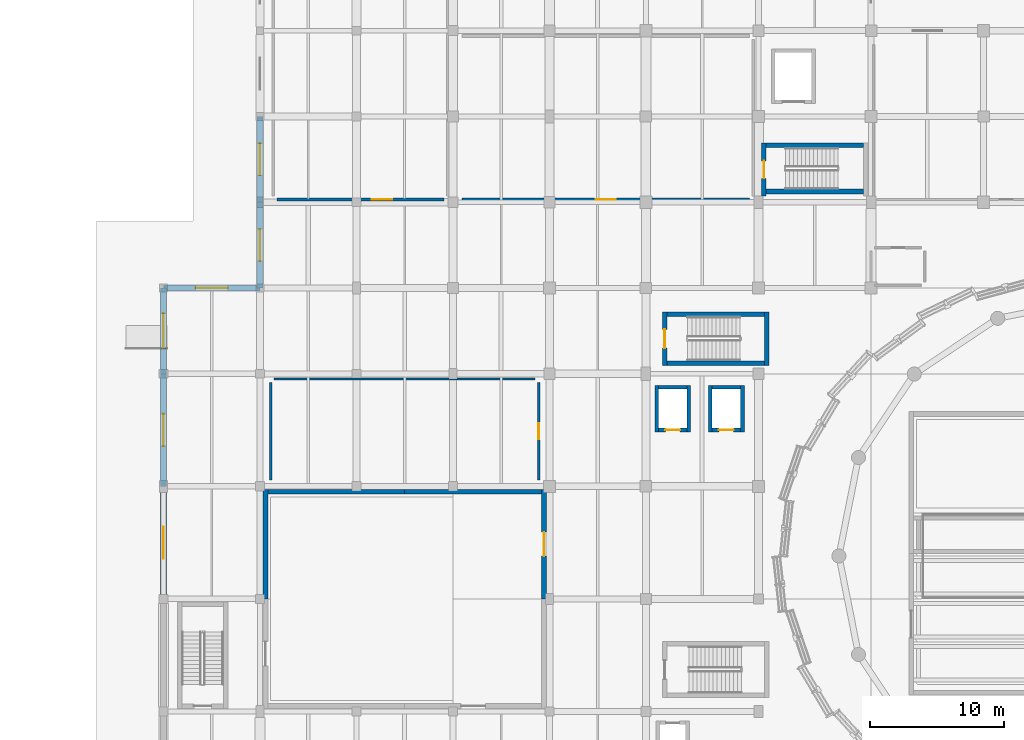
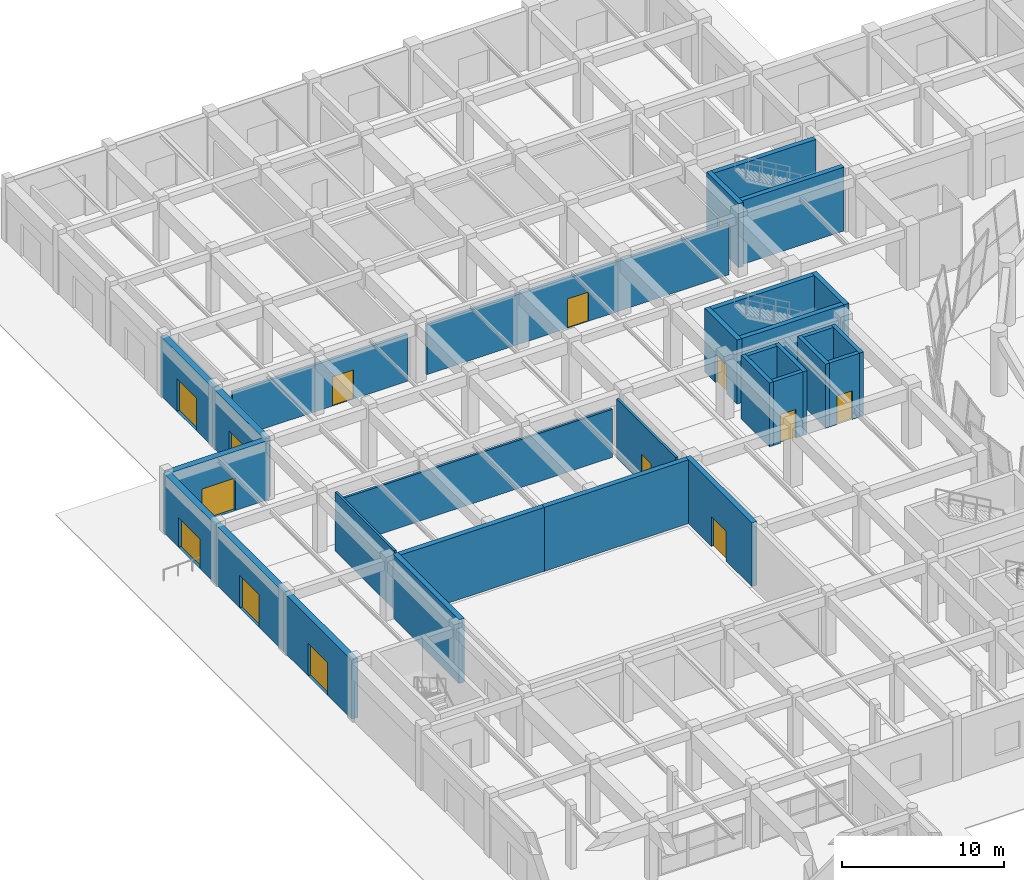
# One storey, part 48 of 72: 30 walls, 14 doors, 14 openings.
"""IFC4 building model written with IfcOpenShell, lengths in metres."""

from ifc_helpers import new_model, si_unit, direction, frame, frame_2d, origin, place, context, subcontext, project, spatial, rectangle, extrude, material, layer, layer_set, type_object, element, fill, save


model = new_model("IFC4")

# Units and contexts
model_context = context("Model", 3, precision=1e-05, world=origin(), true_north=direction((0.0, 1.0)))
body_context = subcontext(model_context, "Body", "Model", "MODEL_VIEW")
ifc_project = project(units=[si_unit("LENGTHUNIT", "METRE"), si_unit("AREAUNIT", "SQUARE_METRE"), si_unit("VOLUMEUNIT", "CUBIC_METRE"), si_unit("PLANEANGLEUNIT", "RADIAN"), si_unit("MASSUNIT", "GRAM", prefix="KILO")], contexts=[model_context])

# Site, building, storey
site_placement = place(None, origin())
site = spatial("IfcSite", under=ifc_project, at=site_placement, CompositionType="ELEMENT")
building_placement = place(site_placement, origin())
building = spatial("IfcBuilding", under=site, at=building_placement, Name="Korsvaeld Concert Hall", CompositionType="ELEMENT")
storey_placement = place(building_placement, origin())
storey = spatial("IfcBuildingStorey", under=building, at=storey_placement, Name="L00", CompositionType="ELEMENT", Elevation=0.0)

# Walls
ifc_material_1 = material(Name="Concrete C40/50", Category="concrete")
ifc_layer_1 = layer(ifc_material_1, 0.340087890625)
ifc_layer_set_1 = layer_set([ifc_layer_1], Name="Concrete C40/50")
wall_type_1 = type_object("IfcWallType", Name="WL-CORE-340", PredefinedType="SHEAR", material=ifc_layer_set_1)
wall_1_placement = place(storey_placement, frame((51.969970703125, 77.60009765625, 0.0), z_axis=(0.0, 0.0, 1.0), x_axis=(1.0, 0.0, 0.0)))
element("IfcWall", 1, at=wall_1_placement, inside=storey, type_object=wall_type_1, Name="Core K1 shear wall L00 S", PredefinedType="SHEAR", context=body_context, shape_type="SweptSolid", body=[
    extrude(rectangle(XDim=7.260009765625, YDim=0.340087890625, at=frame_2d((3.6298828125, 0.0))), origin(), (0.0, 0.0, 1.0), 4.800048828125),
])
wall_2_placement = place(storey_placement, frame((59.39990234375, 77.429931640625, 0.0), z_axis=(0.0, 0.0, 1.0), x_axis=(0.0, 1.0, 0.0)))
element("IfcWall", 2, at=wall_2_placement, inside=storey, type_object=wall_type_1, Name="Core K1 shear wall L00 E", PredefinedType="SHEAR", context=body_context, shape_type="SweptSolid", body=[
    extrude(rectangle(XDim=3.97998046875, YDim=0.340087890625, at=frame_2d((1.989990234375, 0.0))), origin(), (0.0, 0.0, 1.0), 4.800048828125),
])
wall_3_placement = place(storey_placement, frame((59.22998046875, 81.239990234375, 0.0), z_axis=(0.0, 0.0, 1.0), x_axis=(-1.0, 0.0, 0.0)))
element("IfcWall", 3, at=wall_3_placement, inside=storey, type_object=wall_type_1, Name="Core K1 shear wall L00 N", PredefinedType="SHEAR", context=body_context, shape_type="SweptSolid", body=[
    extrude(rectangle(XDim=7.260009765625, YDim=0.340087890625, at=frame_2d((3.6298828125, 0.0))), origin(), (0.0, 0.0, 1.0), 4.800048828125),
])

# Wall, opening, door
wall_4_placement = place(storey_placement, frame((51.800048828125, 81.409912109375, 0.0), z_axis=(0.0, 0.0, 1.0), x_axis=(0.0, -1.0, 0.0)))
wall_4 = element("IfcWall", 4, at=wall_4_placement, inside=storey, type_object=wall_type_1, Name="Core K1 shear wall L00 W", PredefinedType="SHEAR", context=body_context, shape_type="SweptSolid", body=[
    extrude(rectangle(XDim=3.97998046875, YDim=0.340087890625, at=frame_2d((1.989990234375, 0.0))), origin(), (0.0, 0.0, 1.0), 4.800048828125),
])
opening_1_placement = place(wall_4_placement, frame((1.2900390625, 0.0, 0.0)))
opening_1 = element("IfcOpeningElement", 5, at=opening_1_placement, cuts=wall_4, Name="Opening FD-02", PredefinedType="OPENING", context=body_context, shape_type="SweptSolid", body=[
    extrude(rectangle(XDim=1.39990234375, YDim=2.14990234375, at=frame_2d((0.699951171875, 1.074951171875))), frame((0.0, 0.18017578125, 0.0), z_axis=(0.0, -1.0, 0.0), x_axis=(1.0, 0.0, 0.0)), (0.0, 0.0, 1.0), 0.360107421875),
])
ifc_material_2 = material(Name="Acoustic steel and oak fire door", Category="steel")
door_type_1 = type_object("IfcDoorType", Name="DR-FD-STAIR-140x215", OperationType="NOTDEFINED", PredefinedType="DOOR", material=ifc_material_2)
door_1_placement = place(opening_1_placement, frame((1.39990234375, 0.0, 0.0), z_axis=(0.0, 0.0, 1.0), x_axis=(-1.0, 0.0, 0.0)))
door_1 = element("IfcDoor", 6, at=door_1_placement, inside=storey, type_object=door_type_1, Name="Escape stair ST-K1 fire door L00", OperationType="SINGLE_SWING_RIGHT", OverallHeight=2.14990234375, OverallWidth=1.39990234375, PredefinedType="DOOR", context=body_context, shape_type="SweptSolid", body=[
    extrude(rectangle(XDim=1.39990234375, YDim=2.14990234375, at=frame_2d((0.699951171875, 1.074951171875))), frame((0.0, 0.02490234375, 0.0), z_axis=(0.0, -1.0, 0.0), x_axis=(1.0, 0.0, 0.0)), (0.0, 0.0, 1.0), 0.050048828125),
])
fill(opening_1, door_1)

# Walls
for number, where, z_axis, x_axis, name in (
    (7, (59.3701171875, 90.39990234375, 0.0), (0.0, 0.0, 1.0), (1.0, 0.0, 0.0), "Core K5 shear wall L00 S"),
    (8, (66.6298828125, 93.840087890625, 0.0), (0.0, 0.0, 1.0), (-1.0, 0.0, 0.0), "Core K5 shear wall L00 N"),
):
    element("IfcWall", number, at=place(storey_placement, frame(where, z_axis=z_axis, x_axis=x_axis)), inside=storey, type_object=wall_type_1, Name=name, PredefinedType="SHEAR", context=body_context, shape_type="SweptSolid", body=[
        extrude(rectangle(XDim=7.259765625, YDim=0.340087890625, at=frame_2d((3.6298828125, 0.0))), origin(), (0.0, 0.0, 1.0), 4.800048828125),
    ])

# Wall, opening, door
wall_5_placement = place(storey_placement, frame((59.199951171875, 94.010009765625, 0.0), z_axis=(0.0, 0.0, 1.0), x_axis=(0.0, -1.0, 0.0)))
wall_5 = element("IfcWall", 9, at=wall_5_placement, inside=storey, type_object=wall_type_1, Name="Core K5 shear wall L00 W", PredefinedType="SHEAR", context=body_context, shape_type="SweptSolid", body=[
    extrude(rectangle(XDim=3.9599609375, YDim=0.340087890625, at=frame_2d((1.97998046875, 0.0))), origin(), (0.0, 0.0, 1.0), 4.800048828125),
])
opening_2_placement = place(wall_5_placement, frame((1.330078125, 0.0, 0.0)))
opening_2 = element("IfcOpeningElement", 10, at=opening_2_placement, cuts=wall_5, Name="Opening FD-01", PredefinedType="OPENING", context=body_context, shape_type="SweptSolid", body=[
    extrude(rectangle(XDim=1.300048828125, YDim=2.14990234375, at=frame_2d((0.64990234375, 1.074951171875))), frame((0.0, 0.18017578125, 0.0), z_axis=(0.0, -1.0, 0.0), x_axis=(1.0, 0.0, 0.0)), (0.0, 0.0, 1.0), 0.360107421875),
])
door_type_2 = type_object("IfcDoorType", Name="DR-FD-STAIR-130x215", OperationType="NOTDEFINED", PredefinedType="DOOR", material=ifc_material_2)
door_2_placement = place(opening_2_placement, frame((1.300048828125, 0.0, 0.0), z_axis=(0.0, 0.0, 1.0), x_axis=(-1.0, 0.0, 0.0)))
door_2 = element("IfcDoor", 11, at=door_2_placement, inside=storey, type_object=door_type_2, Name="Escape stair ST-K5 fire door L00", OperationType="SINGLE_SWING_RIGHT", OverallHeight=2.14990234375, OverallWidth=1.300048828125, PredefinedType="DOOR", context=body_context, shape_type="SweptSolid", body=[
    extrude(rectangle(XDim=1.300048828125, YDim=2.14990234375, at=frame_2d((0.64990234375, 1.074951171875))), frame((0.0, 0.02490234375, 0.0), z_axis=(0.0, -1.0, 0.0), x_axis=(1.0, 0.0, 0.0)), (0.0, 0.0, 1.0), 0.050048828125),
])
fill(opening_2, door_2)

ifc_material_3 = material(Name="Coastal dark grey granite plinth on Concrete C35/45", Category="masonry")
ifc_layer_2 = layer(ifc_material_3, 0.43994140625)
ifc_layer_set_2 = layer_set([ifc_layer_2], Name="Coastal dark grey granite plinth on Concrete C35/45")
wall_type_2 = type_object("IfcWallType", Name="WL-EXT-GRAN-440", PredefinedType="STANDARD", material=ifc_layer_set_2)
wall_6_placement = place(storey_placement, frame((14.39990234375, 60.0, 0.0), z_axis=(0.0, 0.0, 1.0), x_axis=(0.0, 1.0, 0.0)))
wall_6 = element("IfcWall", 12, at=wall_6_placement, inside=storey, type_object=wall_type_2, Name="Exterior sandstone wall L00-056", PredefinedType="STANDARD", context=body_context, shape_type="SweptSolid", body=[
    extrude(rectangle(XDim=8.39990234375, YDim=0.43994140625, at=frame_2d((4.199951171875, 0.0))), origin(), (0.0, 0.0, 1.0), 4.43994140625),
])
opening_3_placement = place(wall_6_placement, frame((3.0, 0.0, 0.0)))
opening_3 = element("IfcOpeningElement", 13, at=opening_3_placement, cuts=wall_6, Name="Opening ED-01", PredefinedType="OPENING", context=body_context, shape_type="SweptSolid", body=[
    extrude(rectangle(XDim=2.39990234375, YDim=2.449951171875, at=frame_2d((1.199951171875, 1.22509765625))), frame((0.0, 0.22998046875, 0.0), z_axis=(0.0, -1.0, 0.0), x_axis=(1.0, 0.0, 0.0)), (0.0, 0.0, 1.0), 0.4599609375),
])
ifc_material_4 = material(Name="Anodised bronze glazed exit door")
door_type_3 = type_object("IfcDoorType", Name="DR-EXT-240x245", OperationType="DOUBLE_DOOR_SINGLE_SWING", PredefinedType="DOOR", material=ifc_material_4)
door_3_placement = place(opening_3_placement, frame((2.39990234375, 0.0, 0.0), z_axis=(0.0, 0.0, 1.0), x_axis=(-1.0, 0.0, 0.0)))
door_3 = element("IfcDoor", 14, at=door_3_placement, inside=storey, type_object=door_type_3, Name="Ground plaza pedestrian exit door EX-03", OperationType="DOUBLE_DOOR_SINGLE_SWING", OverallHeight=2.449951171875, OverallWidth=2.39990234375, PredefinedType="DOOR", context=body_context, shape_type="SweptSolid", body=[
    extrude(rectangle(XDim=2.39990234375, YDim=2.449951171875, at=frame_2d((1.199951171875, 1.22509765625))), frame((0.0, 0.02490234375, 0.0), z_axis=(0.0, -1.0, 0.0), x_axis=(1.0, 0.0, 0.0)), (0.0, 0.0, 1.0), 0.050048828125),
])
fill(opening_3, door_3)

wall_7_placement = place(storey_placement, frame((14.39990234375, 68.39990234375, 0.0), z_axis=(0.0, 0.0, 1.0), x_axis=(0.0, 1.0, 0.0)))
wall_7 = element("IfcWall", 15, at=wall_7_placement, inside=storey, type_object=wall_type_2, Name="Exterior sandstone wall L00-057", PredefinedType="STANDARD", context=body_context, shape_type="SweptSolid", body=[
    extrude(rectangle(XDim=8.400146484375, YDim=0.43994140625, at=frame_2d((4.2001953125, 0.0))), origin(), (0.0, 0.0, 1.0), 4.43994140625),
])
opening_4_placement = place(wall_7_placement, frame((3.0, 0.0, 0.0)))
opening_4 = element("IfcOpeningElement", 16, at=opening_4_placement, cuts=wall_7, Name="Opening ED-01", PredefinedType="OPENING", context=body_context, shape_type="SweptSolid", body=[
    extrude(rectangle(XDim=2.39990234375, YDim=2.449951171875, at=frame_2d((1.199951171875, 1.22509765625))), frame((0.0, 0.22998046875, 0.0), z_axis=(0.0, -1.0, 0.0), x_axis=(1.0, 0.0, 0.0)), (0.0, 0.0, 1.0), 0.4599609375),
])
door_4_placement = place(opening_4_placement, frame((2.39990234375, 0.0, 0.0), z_axis=(0.0, 0.0, 1.0), x_axis=(-1.0, 0.0, 0.0)))
door_4 = element("IfcDoor", 17, at=door_4_placement, inside=storey, type_object=door_type_3, Name="Ground plaza pedestrian exit door EX-04", OperationType="DOUBLE_DOOR_SINGLE_SWING", OverallHeight=2.449951171875, OverallWidth=2.39990234375, PredefinedType="DOOR", context=body_context, shape_type="SweptSolid", body=[
    extrude(rectangle(XDim=2.39990234375, YDim=2.449951171875, at=frame_2d((1.199951171875, 1.22509765625))), frame((0.0, 0.02490234375, 0.0), z_axis=(0.0, -1.0, 0.0), x_axis=(1.0, 0.0, 0.0)), (0.0, 0.0, 1.0), 0.050048828125),
])
fill(opening_4, door_4)

wall_8_placement = place(storey_placement, frame((14.39990234375, 76.800048828125, 0.0), z_axis=(0.0, 0.0, 1.0), x_axis=(0.0, 1.0, 0.0)))
wall_8 = element("IfcWall", 18, at=wall_8_placement, inside=storey, type_object=wall_type_2, Name="Exterior sandstone wall L00-058", PredefinedType="STANDARD", context=body_context, shape_type="SweptSolid", body=[
    extrude(rectangle(XDim=6.39990234375, YDim=0.43994140625, at=frame_2d((3.199951171875, 0.0))), origin(), (0.0, 0.0, 1.0), 4.43994140625),
])
opening_5_placement = place(wall_8_placement, frame((1.89990234375, 0.0, 0.0)))
opening_5 = element("IfcOpeningElement", 19, at=opening_5_placement, cuts=wall_8, Name="Opening GT-01", PredefinedType="OPENING", context=body_context, shape_type="SweptSolid", body=[
    extrude(rectangle(XDim=2.60009765625, YDim=2.199951171875, at=frame_2d((1.300048828125, 1.10009765625))), frame((0.0, 0.22998046875, 0.0), z_axis=(0.0, -1.0, 0.0), x_axis=(1.0, 0.0, 0.0)), (0.0, 0.0, 1.0), 0.4599609375),
])
ifc_material_5 = material(Name="Anodised bronze service court gate")
door_type_4 = type_object("IfcDoorType", Name="DR-GATE-260x220", OperationType="DOUBLE_DOOR_SINGLE_SWING", PredefinedType="GATE", material=ifc_material_5)
door_5_placement = place(opening_5_placement, frame((2.60009765625, 0.0, 0.0), z_axis=(0.0, 0.0, 1.0), x_axis=(-1.0, 0.0, 0.0)))
door_5 = element("IfcDoor", 20, at=door_5_placement, inside=storey, type_object=door_type_4, Name="Cycle hub and service court gate GT-01", OperationType="DOUBLE_DOOR_SINGLE_SWING", OverallHeight=2.199951171875, OverallWidth=2.60009765625, PredefinedType="GATE", context=body_context, shape_type="SweptSolid", body=[
    extrude(rectangle(XDim=2.60009765625, YDim=2.199951171875, at=frame_2d((1.300048828125, 1.10009765625))), frame((0.0, 0.02490234375, 0.0), z_axis=(0.0, -1.0, 0.0), x_axis=(1.0, 0.0, 0.0)), (0.0, 0.0, 1.0), 0.050048828125),
])
fill(opening_5, door_5)

wall_9_placement = place(storey_placement, frame((14.39990234375, 83.199951171875, 0.0), z_axis=(0.0, 0.0, 1.0), x_axis=(1.0, 0.0, 0.0)))
wall_9 = element("IfcWall", 21, at=wall_9_placement, inside=storey, type_object=wall_type_2, Name="Exterior sandstone wall L00-059", PredefinedType="STANDARD", context=body_context, shape_type="SweptSolid", body=[
    extrude(rectangle(XDim=7.2001953125, YDim=0.43994140625, at=frame_2d((3.60009765625, 0.0))), origin(), (0.0, 0.0, 1.0), 4.43994140625),
])
opening_6_placement = place(wall_9_placement, frame((2.39990234375, 0.0, 0.0)))
opening_6 = element("IfcOpeningElement", 22, at=opening_6_placement, cuts=wall_9, Name="Opening ED-01", PredefinedType="OPENING", context=body_context, shape_type="SweptSolid", body=[
    extrude(rectangle(XDim=2.39990234375, YDim=2.449951171875, at=frame_2d((1.199951171875, 1.22509765625))), frame((0.0, 0.22998046875, 0.0), z_axis=(0.0, -1.0, 0.0), x_axis=(1.0, 0.0, 0.0)), (0.0, 0.0, 1.0), 0.4599609375),
])
door_6_placement = place(opening_6_placement, frame((2.39990234375, 0.0, 0.0), z_axis=(0.0, 0.0, 1.0), x_axis=(-1.0, 0.0, 0.0)))
door_6 = element("IfcDoor", 23, at=door_6_placement, inside=storey, type_object=door_type_3, Name="Ground plaza pedestrian exit door EX-05", OperationType="DOUBLE_DOOR_SINGLE_SWING", OverallHeight=2.449951171875, OverallWidth=2.39990234375, PredefinedType="DOOR", context=body_context, shape_type="SweptSolid", body=[
    extrude(rectangle(XDim=2.39990234375, YDim=2.449951171875, at=frame_2d((1.199951171875, 1.22509765625))), frame((0.0, 0.02490234375, 0.0), z_axis=(0.0, -1.0, 0.0), x_axis=(1.0, 0.0, 0.0)), (0.0, 0.0, 1.0), 0.050048828125),
])
fill(opening_6, door_6)

wall_10_placement = place(storey_placement, frame((21.60009765625, 83.199951171875, 0.0), z_axis=(0.0, 0.0, 1.0), x_axis=(0.0, 1.0, 0.0)))
wall_10 = element("IfcWall", 24, at=wall_10_placement, inside=storey, type_object=wall_type_2, Name="Exterior sandstone wall L00-060", PredefinedType="STANDARD", context=body_context, shape_type="SweptSolid", body=[
    extrude(rectangle(XDim=6.400146484375, YDim=0.43994140625, at=frame_2d((3.2001953125, 0.0))), origin(), (0.0, 0.0, 1.0), 4.43994140625),
])
opening_7_placement = place(wall_10_placement, frame((2.0, 0.0, 0.0)))
opening_7 = element("IfcOpeningElement", 25, at=opening_7_placement, cuts=wall_10, Name="Opening ED-01", PredefinedType="OPENING", context=body_context, shape_type="SweptSolid", body=[
    extrude(rectangle(XDim=2.39990234375, YDim=2.449951171875, at=frame_2d((1.199951171875, 1.22509765625))), frame((0.0, 0.22998046875, 0.0), z_axis=(0.0, -1.0, 0.0), x_axis=(1.0, 0.0, 0.0)), (0.0, 0.0, 1.0), 0.4599609375),
])
door_7_placement = place(opening_7_placement, frame((2.39990234375, 0.0, 0.0), z_axis=(0.0, 0.0, 1.0), x_axis=(-1.0, 0.0, 0.0)))
door_7 = element("IfcDoor", 26, at=door_7_placement, inside=storey, type_object=door_type_3, Name="Ground plaza pedestrian exit door EX-06", OperationType="DOUBLE_DOOR_SINGLE_SWING", OverallHeight=2.449951171875, OverallWidth=2.39990234375, PredefinedType="DOOR", context=body_context, shape_type="SweptSolid", body=[
    extrude(rectangle(XDim=2.39990234375, YDim=2.449951171875, at=frame_2d((1.199951171875, 1.22509765625))), frame((0.0, 0.02490234375, 0.0), z_axis=(0.0, -1.0, 0.0), x_axis=(1.0, 0.0, 0.0)), (0.0, 0.0, 1.0), 0.050048828125),
])
fill(opening_7, door_7)

wall_11_placement = place(storey_placement, frame((21.60009765625, 89.60009765625, 0.0), z_axis=(0.0, 0.0, 1.0), x_axis=(0.0, 1.0, 0.0)))
wall_11 = element("IfcWall", 27, at=wall_11_placement, inside=storey, type_object=wall_type_2, Name="Exterior sandstone wall L00-061", PredefinedType="STANDARD", context=body_context, shape_type="SweptSolid", body=[
    extrude(rectangle(XDim=6.39990234375, YDim=0.43994140625, at=frame_2d((3.199951171875, 0.0))), origin(), (0.0, 0.0, 1.0), 4.43994140625),
])
opening_8_placement = place(wall_11_placement, frame((2.0, 0.0, 0.0)))
opening_8 = element("IfcOpeningElement", 28, at=opening_8_placement, cuts=wall_11, Name="Opening ED-01", PredefinedType="OPENING", context=body_context, shape_type="SweptSolid", body=[
    extrude(rectangle(XDim=2.39990234375, YDim=2.449951171875, at=frame_2d((1.199951171875, 1.22509765625))), frame((0.0, 0.22998046875, 0.0), z_axis=(0.0, -1.0, 0.0), x_axis=(1.0, 0.0, 0.0)), (0.0, 0.0, 1.0), 0.4599609375),
])
door_8_placement = place(opening_8_placement, frame((2.39990234375, 0.0, 0.0), z_axis=(0.0, 0.0, 1.0), x_axis=(-1.0, 0.0, 0.0)))
door_8 = element("IfcDoor", 29, at=door_8_placement, inside=storey, type_object=door_type_3, Name="Ground plaza pedestrian exit door EX-07", OperationType="DOUBLE_DOOR_SINGLE_SWING", OverallHeight=2.449951171875, OverallWidth=2.39990234375, PredefinedType="DOOR", context=body_context, shape_type="SweptSolid", body=[
    extrude(rectangle(XDim=2.39990234375, YDim=2.449951171875, at=frame_2d((1.199951171875, 1.22509765625))), frame((0.0, 0.02490234375, 0.0), z_axis=(0.0, -1.0, 0.0), x_axis=(1.0, 0.0, 0.0)), (0.0, 0.0, 1.0), 0.050048828125),
])
fill(opening_8, door_8)

ifc_material_6 = material(Name="Double acoustic gypsum fire compartment wall")
ifc_layer_3 = layer(ifc_material_6, 0.199951171875)
ifc_layer_set_3 = layer_set([ifc_layer_3], Name="Double acoustic gypsum fire compartment wall")
wall_type_3 = type_object("IfcWallType", Name="WL-FIRE-200", PredefinedType="PARTITIONING", material=ifc_layer_set_3)
wall_12_placement = place(storey_placement, frame((22.860107421875, 89.800048828125, 0.0), z_axis=(0.0, 0.0, 1.0), x_axis=(1.0, 0.0, 0.0)))
wall_12 = element("IfcWall", 30, at=wall_12_placement, inside=storey, type_object=wall_type_3, Name="Interior partition L00-20 S", PredefinedType="PARTITIONING", context=body_context, shape_type="SweptSolid", body=[
    extrude(rectangle(XDim=12.47998046875, YDim=0.199951171875, at=frame_2d((6.239990234375, 0.0))), origin(), (0.0, 0.0, 1.0), 3.514892578125),
])
opening_9_placement = place(wall_12_placement, frame((7.090087890625, 0.0, 0.0)))
opening_9 = element("IfcOpeningElement", 31, at=opening_9_placement, cuts=wall_12, Name="Opening FD-07", PredefinedType="OPENING", context=body_context, shape_type="SweptSolid", body=[
    extrude(rectangle(XDim=1.5, YDim=2.199951171875, at=frame_2d((0.75, 1.10009765625))), frame((0.0, 0.10986328125, 0.0), z_axis=(0.0, -1.0, 0.0), x_axis=(1.0, 0.0, 0.0)), (0.0, 0.0, 1.0), 0.219970703125),
])
ifc_material_7 = material(Name="Acoustic steel plant fire door", Category="steel")
door_type_5 = type_object("IfcDoorType", Name="DR-FD-PLANT-150x220", OperationType="DOUBLE_DOOR_SINGLE_SWING", PredefinedType="DOOR", material=ifc_material_7)
door_9_placement = place(opening_9_placement, origin())
door_9 = element("IfcDoor", 32, at=door_9_placement, inside=storey, type_object=door_type_5, Name="Acoustic Stage Loading Dock door L00-20", OperationType="DOUBLE_DOOR_SINGLE_SWING", OverallHeight=2.199951171875, OverallWidth=1.5, PredefinedType="DOOR", context=body_context, shape_type="SweptSolid", body=[
    extrude(rectangle(XDim=1.5, YDim=2.199951171875, at=frame_2d((0.75, 1.10009765625))), frame((0.0, 0.02490234375, 0.0), z_axis=(0.0, -1.0, 0.0), x_axis=(1.0, 0.0, 0.0)), (0.0, 0.0, 1.0), 0.050048828125),
])
fill(opening_9, door_9)

wall_13_placement = place(storey_placement, frame((36.659912109375, 89.800048828125, 0.0), z_axis=(0.0, 0.0, 1.0), x_axis=(1.0, 0.0, 0.0)))
wall_13 = element("IfcWall", 33, at=wall_13_placement, inside=storey, type_object=wall_type_3, Name="Interior partition L00-21 S", PredefinedType="PARTITIONING", context=body_context, shape_type="SweptSolid", body=[
    extrude(rectangle(XDim=21.47998046875, YDim=0.199951171875, at=frame_2d((10.739990234375, 0.0))), origin(), (0.0, 0.0, 1.0), 3.764892578125),
])
opening_10_placement = place(wall_13_placement, frame((9.989990234375, 0.0, 0.0)))
opening_10 = element("IfcOpeningElement", 34, at=opening_10_placement, cuts=wall_13, Name="Opening FD-07", PredefinedType="OPENING", context=body_context, shape_type="SweptSolid", body=[
    extrude(rectangle(XDim=1.5, YDim=2.199951171875, at=frame_2d((0.75, 1.10009765625))), frame((0.0, 0.10986328125, 0.0), z_axis=(0.0, -1.0, 0.0), x_axis=(1.0, 0.0, 0.0)), (0.0, 0.0, 1.0), 0.219970703125),
])
door_10_placement = place(opening_10_placement, origin())
door_10 = element("IfcDoor", 35, at=door_10_placement, inside=storey, type_object=door_type_5, Name="Stage Piano & Flight-Case Store door L00-21", OperationType="DOUBLE_DOOR_SINGLE_SWING", OverallHeight=2.199951171875, OverallWidth=1.5, PredefinedType="DOOR", context=body_context, shape_type="SweptSolid", body=[
    extrude(rectangle(XDim=1.5, YDim=2.199951171875, at=frame_2d((0.75, 1.10009765625))), frame((0.0, 0.02490234375, 0.0), z_axis=(0.0, -1.0, 0.0), x_axis=(1.0, 0.0, 0.0)), (0.0, 0.0, 1.0), 0.050048828125),
])
fill(opening_10, door_10)

ifc_material_8 = material(Name="Bornholm Nexo crimson sandstone on Concrete C40/50", Category="masonry")
ifc_layer_4 = layer(ifc_material_8, 0.360107421875)
ifc_layer_set_4 = layer_set([ifc_layer_4], Name="Bornholm Nexo crimson sandstone on Concrete C40/50")
wall_type_4 = type_object("IfcWallType", Name="WL-HALL-360", PredefinedType="SHEAR", material=ifc_layer_set_4)
wall_14_placement = place(storey_placement, frame((42.800048828125, 60.0, 0.0), z_axis=(0.0, 0.0, 1.0), x_axis=(0.0, 1.0, 0.0)))
wall_14 = element("IfcWall", 36, at=wall_14_placement, inside=storey, type_object=wall_type_4, Name="Acoustic hall box wall V3H L00 E.2", PredefinedType="SHEAR", context=body_context, shape_type="SweptSolid", body=[
    extrude(rectangle(XDim=8.179931640625, YDim=0.360107421875, at=frame_2d((4.08984375, 0.0))), origin(), (0.0, 0.0, 1.0), 4.800048828125),
])
opening_11_placement = place(wall_14_placement, frame((3.18994140625, 0.0, 0.0)))
opening_11 = element("IfcOpeningElement", 37, at=opening_11_placement, cuts=wall_14, Name="Opening FD-03", PredefinedType="OPENING", context=body_context, shape_type="SweptSolid", body=[
    extrude(rectangle(XDim=1.800048828125, YDim=2.25, at=frame_2d((0.89990234375, 1.125))), frame((0.0, 0.18994140625, 0.0), z_axis=(0.0, -1.0, 0.0), x_axis=(1.0, 0.0, 0.0)), (0.0, 0.0, 1.0), 0.380126953125),
])
ifc_material_9 = material(Name="Double acoustic oak sound-lock fire door")
door_type_6 = type_object("IfcDoorType", Name="DR-FD-HALL-180x225", OperationType="DOUBLE_DOOR_SINGLE_SWING", PredefinedType="DOOR", material=ifc_material_9)
door_11_placement = place(opening_11_placement, frame((1.800048828125, 0.0, 0.0), z_axis=(0.0, 0.0, 1.0), x_axis=(-1.0, 0.0, 0.0)))
door_11 = element("IfcDoor", 38, at=door_11_placement, inside=storey, type_object=door_type_6, Name="Auditorium sound-lock fire door V3H L00 E.2", OperationType="DOUBLE_DOOR_SINGLE_SWING", OverallHeight=2.25, OverallWidth=1.800048828125, PredefinedType="DOOR", context=body_context, shape_type="SweptSolid", body=[
    extrude(rectangle(XDim=1.800048828125, YDim=2.25, at=frame_2d((0.89990234375, 1.125))), frame((0.0, 0.02490234375, 0.0), z_axis=(0.0, -1.0, 0.0), x_axis=(1.0, 0.0, 0.0)), (0.0, 0.0, 1.0), 0.050048828125),
])
fill(opening_11, door_11)

# Walls
wall_15_placement = place(storey_placement, frame((42.6201171875, 68.0, 0.0), z_axis=(0.0, 0.0, 1.0), x_axis=(-1.0, 0.0, 0.0)))
element("IfcWall", 39, at=wall_15_placement, inside=storey, type_object=wall_type_4, Name="Acoustic hall box wall V3H L00 N.1", PredefinedType="SHEAR", context=body_context, shape_type="SweptSolid", body=[
    extrude(rectangle(XDim=10.22021484375, YDim=0.360107421875, at=frame_2d((5.110107421875, 0.0))), origin(), (0.0, 0.0, 1.0), 4.800048828125),
])
wall_16_placement = place(storey_placement, frame((32.39990234375, 68.0, 0.0), z_axis=(0.0, 0.0, 1.0), x_axis=(-1.0, 0.0, 0.0)))
element("IfcWall", 40, at=wall_16_placement, inside=storey, type_object=wall_type_4, Name="Acoustic hall box wall V3H L00 N.2", PredefinedType="SHEAR", context=body_context, shape_type="SweptSolid", body=[
    extrude(rectangle(XDim=10.219970703125, YDim=0.360107421875, at=frame_2d((5.10986328125, 0.0))), origin(), (0.0, 0.0, 1.0), 4.800048828125),
])
wall_17_placement = place(storey_placement, frame((22.0, 68.179931640625, 0.0), z_axis=(0.0, 0.0, 1.0), x_axis=(0.0, -1.0, 0.0)))
element("IfcWall", 41, at=wall_17_placement, inside=storey, type_object=wall_type_4, Name="Acoustic hall box wall V3H L00 W.1", PredefinedType="SHEAR", context=body_context, shape_type="SweptSolid", body=[
    extrude(rectangle(XDim=8.179931640625, YDim=0.360107421875, at=frame_2d((4.08984375, 0.0))), origin(), (0.0, 0.0, 1.0), 4.800048828125),
])

# Wall, opening, door
ifc_material_10 = material(Name="Double-stud acoustic rehearsal partition")
ifc_layer_5 = layer(ifc_material_10, 0.159912109375)
ifc_layer_set_5 = layer_set([ifc_layer_5], Name="Double-stud acoustic rehearsal partition")
wall_type_5 = type_object("IfcWallType", Name="WL-PART-160", PredefinedType="PARTITIONING", material=ifc_layer_set_5)
wall_18_placement = place(storey_placement, frame((42.39990234375, 68.860107421875, 0.0), z_axis=(0.0, 0.0, 1.0), x_axis=(0.0, 1.0, 0.0)))
wall_18 = element("IfcWall", 42, at=wall_18_placement, inside=storey, type_object=wall_type_5, Name="Interior partition L00-18 E", PredefinedType="PARTITIONING", context=body_context, shape_type="SweptSolid", body=[
    extrude(rectangle(XDim=7.27978515625, YDim=0.159912109375, at=frame_2d((3.639892578125, 0.0))), origin(), (0.0, 0.0, 1.0), 4.43994140625),
])
opening_12_placement = place(wall_18_placement, frame((3.0400390625, 0.0, 0.0)))
opening_12 = element("IfcOpeningElement", 43, at=opening_12_placement, cuts=wall_18, Name="Opening ID-01", PredefinedType="OPENING", context=body_context, shape_type="SweptSolid", body=[
    extrude(rectangle(XDim=1.199951171875, YDim=2.14990234375, at=frame_2d((0.60009765625, 1.074951171875))), frame((0.0, 0.08984375, 0.0), z_axis=(0.0, -1.0, 0.0), x_axis=(1.0, 0.0, 0.0)), (0.0, 0.0, 1.0), 0.179931640625),
])
ifc_material_11 = material(Name="Solid European oak acoustic studio door")
door_type_7 = type_object("IfcDoorType", Name="DR-INT-REH-120x215", OperationType="NOTDEFINED", PredefinedType="DOOR", material=ifc_material_11)
door_12_placement = place(opening_12_placement, origin())
door_12 = element("IfcDoor", 44, at=door_12_placement, inside=storey, type_object=door_type_7, Name="Percussion & Harp Rehearsal Annex door L00-18", OperationType="SINGLE_SWING_RIGHT", OverallHeight=2.14990234375, OverallWidth=1.199951171875, PredefinedType="DOOR", context=body_context, shape_type="SweptSolid", body=[
    extrude(rectangle(XDim=1.199951171875, YDim=2.14990234375, at=frame_2d((0.60009765625, 1.074951171875))), frame((0.0, 0.02490234375, 0.0), z_axis=(0.0, -1.0, 0.0), x_axis=(1.0, 0.0, 0.0)), (0.0, 0.0, 1.0), 0.050048828125),
])
fill(opening_12, door_12)

# Walls
wall_19_placement = place(storey_placement, frame((42.139892578125, 76.39990234375, 0.0), z_axis=(0.0, 0.0, 1.0), x_axis=(-1.0, 0.0, 0.0)))
element("IfcWall", 45, at=wall_19_placement, inside=storey, type_object=wall_type_5, Name="Interior partition L00-18 N", PredefinedType="PARTITIONING", context=body_context, shape_type="SweptSolid", body=[
    extrude(rectangle(XDim=19.47998046875, YDim=0.159912109375, at=frame_2d((9.739990234375, 0.0))), origin(), (0.0, 0.0, 1.0), 3.614990234375),
])
wall_20_placement = place(storey_placement, frame((22.39990234375, 76.139892578125, 0.0), z_axis=(0.0, 0.0, 1.0), x_axis=(0.0, -1.0, 0.0)))
element("IfcWall", 46, at=wall_20_placement, inside=storey, type_object=wall_type_5, Name="Interior partition L00-18 W", PredefinedType="PARTITIONING", context=body_context, shape_type="SweptSolid", body=[
    extrude(rectangle(XDim=7.27978515625, YDim=0.159912109375, at=frame_2d((3.639892578125, 0.0))), origin(), (0.0, 0.0, 1.0), 4.43994140625),
])

# Wall, opening, door
ifc_layer_6 = layer(ifc_material_1, 0.280029296875)
ifc_layer_set_6 = layer_set([ifc_layer_6], Name="Concrete C40/50")
wall_type_6 = type_object("IfcWallType", Name="WL-SHAFT-280", PredefinedType="SHEAR", material=ifc_layer_set_6)
wall_21_placement = place(storey_placement, frame((51.340087890625, 72.60009765625, 0.0), z_axis=(0.0, 0.0, 1.0), x_axis=(1.0, 0.0, 0.0)))
wall_21 = element("IfcWall", 47, at=wall_21_placement, inside=storey, type_object=wall_type_6, Name="Lift LP-01 shaft wall L00 S", PredefinedType="SHEAR", context=body_context, shape_type="SweptSolid", body=[
    extrude(rectangle(XDim=2.119873046875, YDim=0.280029296875, at=frame_2d((1.06005859375, 0.0))), origin(), (0.0, 0.0, 1.0), 4.800048828125),
])
opening_13_placement = place(wall_21_placement, frame((0.510009765625, 0.0, 0.0)))
opening_13 = element("IfcOpeningElement", 48, at=opening_13_placement, cuts=wall_21, Name="Opening LD-01", PredefinedType="OPENING", context=body_context, shape_type="SweptSolid", body=[
    extrude(rectangle(XDim=1.10009765625, YDim=2.14990234375, at=frame_2d((0.550048828125, 1.074951171875))), frame((0.0, 0.14990234375, 0.0), z_axis=(0.0, -1.0, 0.0), x_axis=(1.0, 0.0, 0.0)), (0.0, 0.0, 1.0), 0.300048828125),
])
ifc_material_12 = material(Name="Brushed bronze-stainless sliding lift landing door")
door_type_8 = type_object("IfcDoorType", Name="DR-LD-PASS-110x215", OperationType="NOTDEFINED", PredefinedType="DOOR", material=ifc_material_12)
door_13_placement = place(opening_13_placement, origin())
door_13 = element("IfcDoor", 49, at=door_13_placement, inside=storey, type_object=door_type_8, Name="Lift landing door LP-01 L00", OperationType="SLIDING_TO_LEFT", OverallHeight=2.14990234375, OverallWidth=1.10009765625, PredefinedType="DOOR", context=body_context, shape_type="SweptSolid", body=[
    extrude(rectangle(XDim=1.10009765625, YDim=2.14990234375, at=frame_2d((0.550048828125, 1.074951171875))), frame((0.0, 0.02490234375, 0.0), z_axis=(0.0, -1.0, 0.0), x_axis=(1.0, 0.0, 0.0)), (0.0, 0.0, 1.0), 0.050048828125),
])
fill(opening_13, door_13)

# Walls
wall_22_placement = place(storey_placement, frame((53.60009765625, 72.4599609375, 0.0), z_axis=(0.0, 0.0, 1.0), x_axis=(0.0, 1.0, 0.0)))
element("IfcWall", 50, at=wall_22_placement, inside=storey, type_object=wall_type_6, Name="Lift LP-01 shaft wall L00 E", PredefinedType="SHEAR", context=body_context, shape_type="SweptSolid", body=[
    extrude(rectangle(XDim=3.47998046875, YDim=0.280029296875, at=frame_2d((1.739990234375, 0.0))), origin(), (0.0, 0.0, 1.0), 4.800048828125),
])
wall_23_placement = place(storey_placement, frame((53.4599609375, 75.800048828125, 0.0), z_axis=(0.0, 0.0, 1.0), x_axis=(-1.0, 0.0, 0.0)))
element("IfcWall", 51, at=wall_23_placement, inside=storey, type_object=wall_type_6, Name="Lift LP-01 shaft wall L00 N", PredefinedType="SHEAR", context=body_context, shape_type="SweptSolid", body=[
    extrude(rectangle(XDim=2.119873046875, YDim=0.280029296875, at=frame_2d((1.06005859375, 0.0))), origin(), (0.0, 0.0, 1.0), 4.800048828125),
])
wall_24_placement = place(storey_placement, frame((51.199951171875, 75.93994140625, 0.0), z_axis=(0.0, 0.0, 1.0), x_axis=(0.0, -1.0, 0.0)))
element("IfcWall", 52, at=wall_24_placement, inside=storey, type_object=wall_type_6, Name="Lift LP-01 shaft wall L00 W", PredefinedType="SHEAR", context=body_context, shape_type="SweptSolid", body=[
    extrude(rectangle(XDim=3.47998046875, YDim=0.280029296875, at=frame_2d((1.739990234375, 0.0))), origin(), (0.0, 0.0, 1.0), 4.800048828125),
])

# Wall, opening, door
wall_25_placement = place(storey_placement, frame((55.340087890625, 72.60009765625, 0.0), z_axis=(0.0, 0.0, 1.0), x_axis=(1.0, 0.0, 0.0)))
wall_25 = element("IfcWall", 53, at=wall_25_placement, inside=storey, type_object=wall_type_6, Name="Lift LP-02 shaft wall L00 S", PredefinedType="SHEAR", context=body_context, shape_type="SweptSolid", body=[
    extrude(rectangle(XDim=2.119873046875, YDim=0.280029296875, at=frame_2d((1.06005859375, 0.0))), origin(), (0.0, 0.0, 1.0), 4.800048828125),
])
opening_14_placement = place(wall_25_placement, frame((0.510009765625, 0.0, 0.0)))
opening_14 = element("IfcOpeningElement", 54, at=opening_14_placement, cuts=wall_25, Name="Opening LD-01", PredefinedType="OPENING", context=body_context, shape_type="SweptSolid", body=[
    extrude(rectangle(XDim=1.10009765625, YDim=2.14990234375, at=frame_2d((0.550048828125, 1.074951171875))), frame((0.0, 0.14990234375, 0.0), z_axis=(0.0, -1.0, 0.0), x_axis=(1.0, 0.0, 0.0)), (0.0, 0.0, 1.0), 0.300048828125),
])
door_14_placement = place(opening_14_placement, origin())
door_14 = element("IfcDoor", 55, at=door_14_placement, inside=storey, type_object=door_type_8, Name="Lift landing door LP-02 L00", OperationType="SLIDING_TO_RIGHT", OverallHeight=2.14990234375, OverallWidth=1.10009765625, PredefinedType="DOOR", context=body_context, shape_type="SweptSolid", body=[
    extrude(rectangle(XDim=1.10009765625, YDim=2.14990234375, at=frame_2d((0.550048828125, 1.074951171875))), frame((0.0, 0.02490234375, 0.0), z_axis=(0.0, -1.0, 0.0), x_axis=(1.0, 0.0, 0.0)), (0.0, 0.0, 1.0), 0.050048828125),
])
fill(opening_14, door_14)

# Walls
wall_26_placement = place(storey_placement, frame((57.60009765625, 72.4599609375, 0.0), z_axis=(0.0, 0.0, 1.0), x_axis=(0.0, 1.0, 0.0)))
element("IfcWall", 56, at=wall_26_placement, inside=storey, type_object=wall_type_6, Name="Lift LP-02 shaft wall L00 E", PredefinedType="SHEAR", context=body_context, shape_type="SweptSolid", body=[
    extrude(rectangle(XDim=3.47998046875, YDim=0.280029296875, at=frame_2d((1.739990234375, 0.0))), origin(), (0.0, 0.0, 1.0), 4.800048828125),
])
wall_27_placement = place(storey_placement, frame((57.4599609375, 75.800048828125, 0.0), z_axis=(0.0, 0.0, 1.0), x_axis=(-1.0, 0.0, 0.0)))
element("IfcWall", 57, at=wall_27_placement, inside=storey, type_object=wall_type_6, Name="Lift LP-02 shaft wall L00 N", PredefinedType="SHEAR", context=body_context, shape_type="SweptSolid", body=[
    extrude(rectangle(XDim=2.119873046875, YDim=0.280029296875, at=frame_2d((1.06005859375, 0.0))), origin(), (0.0, 0.0, 1.0), 4.800048828125),
])
wall_28_placement = place(storey_placement, frame((55.199951171875, 75.93994140625, 0.0), z_axis=(0.0, 0.0, 1.0), x_axis=(0.0, -1.0, 0.0)))
element("IfcWall", 58, at=wall_28_placement, inside=storey, type_object=wall_type_6, Name="Lift LP-02 shaft wall L00 W", PredefinedType="SHEAR", context=body_context, shape_type="SweptSolid", body=[
    extrude(rectangle(XDim=3.47998046875, YDim=0.280029296875, at=frame_2d((1.739990234375, 0.0))), origin(), (0.0, 0.0, 1.0), 4.800048828125),
])

save(model, "model.ifc")
